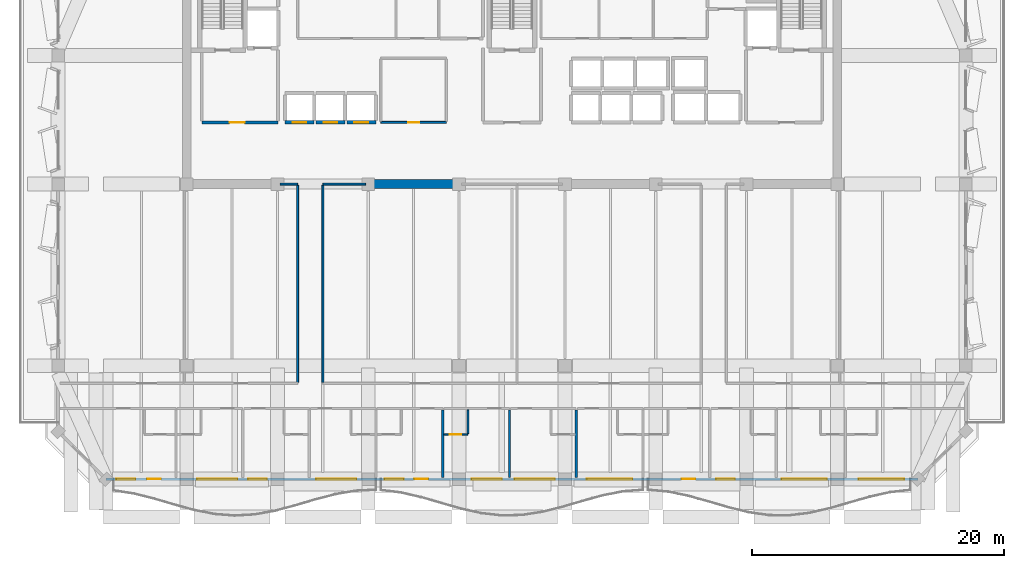
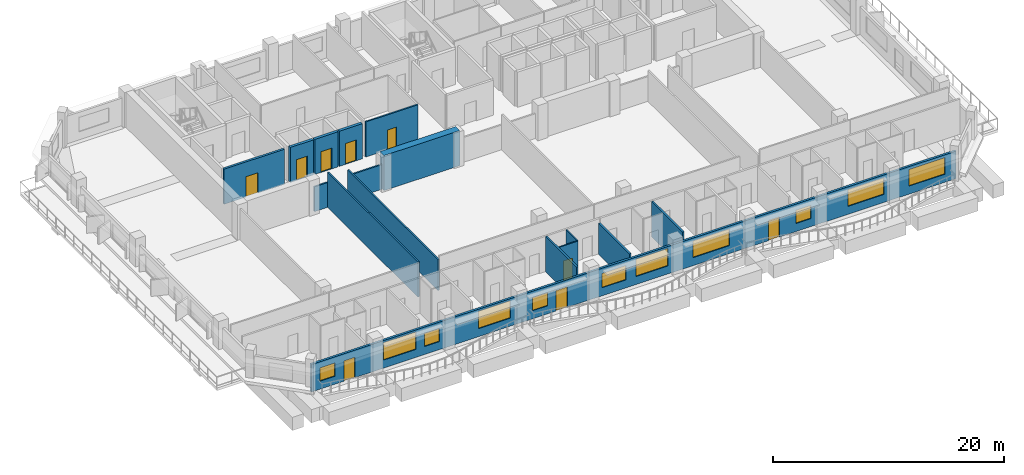
# One storey, part 5 of 13: 16 walls, 11 windows, 9 doors, 20 openings.
"""IFC4 building model written with IfcOpenShell, lengths in metres."""

import ifcopenshell
import ifcopenshell.guid

model = None  # the IFC model being written
_history = None  # IfcOwnerHistory: only IFC2X3 demands one
_inside = {}  # id of a spatial element -> (the spatial element, [elements in it])
_under = {}  # id of a project, library or spatial element -> (it, [spatial elements below it])
_declared = {}  # id of a project -> (the project, [libraries it declares])
_typed = {}  # id of a type object -> (the type object, [elements of that type])
_made_of = {}  # id of a material, layer set ... -> (it, [elements and type objects made of it])


def new_model(schema):
    """Start an empty IFC model of exactly this schema.

    Asked for "IFC4X3", IfcOpenShell would pick the latest addendum, in which some entities
    have other attributes; the version numbers below select the first issue.
    IFC2X3 requires an IfcOwnerHistory on every rooted entity: one is made here for all.
    """
    global model, _history
    if schema == "IFC4X3":
        model = ifcopenshell.file(schema_version=(4, 3, 0, 0))
    else:
        model = ifcopenshell.file(schema=schema)
    _inside.clear()
    _under.clear()
    _declared.clear()
    _typed.clear()
    _made_of.clear()
    _history = None
    if model.schema == "IFC2X3":
        org = make("IfcOrganization", Name="unknown")
        user = make(
            "IfcPersonAndOrganization",
            ThePerson=make("IfcPerson", FamilyName="unknown"),
            TheOrganization=org,
        )
        app = make(
            "IfcApplication",
            ApplicationDeveloper=org,
            Version="unknown",
            ApplicationFullName="unknown",
            ApplicationIdentifier="unknown",
        )
        _history = make(
            "IfcOwnerHistory",
            OwningUser=user,
            OwningApplication=app,
            ChangeAction="ADDED",
            CreationDate=0,
        )
    return model


def make(cls, **values):
    """One entity of the class cls with the attributes given. An attribute that is None is left unset."""
    return model.create_entity(
        cls, **{name: value for name, value in values.items() if value is not None}
    )


def rooted(cls, **values):
    """An entity with a GlobalId (a new one), such as an element, a storey or a relation."""
    return make(cls, GlobalId=ifcopenshell.guid.new(), OwnerHistory=_history, **values)


def si_unit(unit_type, name, prefix=None):
    """IfcSIUnit, for example si_unit("LENGTHUNIT", "METRE", prefix="MILLI")."""
    return make("IfcSIUnit", UnitType=unit_type, Prefix=prefix, Name=name)


def assignment(units):
    """IfcUnitAssignment: the units of a project."""
    return None if units is None else make("IfcUnitAssignment", Units=units)


def point(xyz):
    """IfcCartesianPoint."""
    return None if xyz is None else make("IfcCartesianPoint", Coordinates=xyz)


def direction(xyz):
    """IfcDirection."""
    return None if xyz is None else make("IfcDirection", DirectionRatios=xyz)


def frame(location, z_axis=None, x_axis=None):
    """IfcAxis2Placement3D, a coordinate frame: its origin and axes. An axis left out is left unset."""
    return make(
        "IfcAxis2Placement3D",
        Location=point(location),
        Axis=direction(z_axis),
        RefDirection=direction(x_axis),
    )


def frame_2d(location, x_axis=None):
    """IfcAxis2Placement2D, a coordinate frame in the plane: its origin and x axis."""
    return make(
        "IfcAxis2Placement2D", Location=point(location), RefDirection=direction(x_axis)
    )


def origin():
    """The frame at (0, 0, 0) with its axes left unset."""
    return frame((0.0, 0.0, 0.0))


def place(relative_to, where):
    """IfcLocalPlacement: puts the frame where relative to a parent placement (None: the world)."""
    return make(
        "IfcLocalPlacement", PlacementRelTo=relative_to, RelativePlacement=where
    )


def context(
    kind, dimensions, precision=None, world=None, true_north=None, identifier=None
):
    """IfcGeometricRepresentationContext, for example the 3D "Model" context."""
    return make(
        "IfcGeometricRepresentationContext",
        ContextIdentifier=identifier,
        ContextType=kind,
        CoordinateSpaceDimension=dimensions,
        Precision=precision,
        WorldCoordinateSystem=world,
        TrueNorth=true_north,
    )


def subcontext(parent, identifier, kind, view, scale=None):
    """IfcGeometricRepresentationSubContext, for example "Body" below "Model"."""
    return make(
        "IfcGeometricRepresentationSubContext",
        ContextIdentifier=identifier,
        ContextType=kind,
        ParentContext=parent,
        TargetScale=scale,
        TargetView=view,
    )


def project(units=None, contexts=None):
    """IfcProject with its units and contexts."""
    return rooted(
        "IfcProject",
        Name="project",
        RepresentationContexts=contexts,
        UnitsInContext=assignment(units),
    )


def spatial(cls, under=None, at=None, **own):
    """A site, building, storey or space (cls), placed at a placement, below another one or the project."""
    s = rooted(cls, ObjectPlacement=at, **own)
    if under is not None:
        _under.setdefault(under.id(), (under, []))[1].append(s)
    return s


def profile(cls, at=None, kind="AREA", **sizes):
    """A parametric profile (cls). Its sizes go by their IFC names, for example OverallWidth=200.0."""
    return make(cls, ProfileType=kind, Position=at, **sizes)


def rectangle(**sizes):
    """IfcRectangleProfileDef."""
    return profile("IfcRectangleProfileDef", **sizes)


def extrude(swept, where, along, depth):
    """IfcExtrudedAreaSolid: the profile swept, set in the frame where, extruded along a direction by depth."""
    return make(
        "IfcExtrudedAreaSolid",
        SweptArea=swept,
        Position=where,
        ExtrudedDirection=direction(along),
        Depth=depth,
    )


def shape(context_of_items, identifier, shape_type, items):
    """IfcShapeRepresentation: the items that make up one representation, for example the "Body"."""
    return make(
        "IfcShapeRepresentation",
        ContextOfItems=context_of_items,
        RepresentationIdentifier=identifier,
        RepresentationType=shape_type,
        Items=items,
    )


def material(Name=None, Category=None):
    """IfcMaterial."""
    return make("IfcMaterial", Name=Name, Category=Category)


def layer(
    of_material, thickness, ventilated=None, Name=None, Category=None, Priority=None
):
    """IfcMaterialLayer: one layer of a wall or slab, of a material (None: an air gap)."""
    return make(
        "IfcMaterialLayer",
        Material=of_material,
        LayerThickness=thickness,
        IsVentilated=ventilated,
        Name=Name,
        Category=Category,
        Priority=Priority,
    )


def layer_set(layers, Name=None):
    """IfcMaterialLayerSet."""
    return make("IfcMaterialLayerSet", MaterialLayers=layers, LayerSetName=Name)


def made_of(thing, what):
    """Note that an element or type object is made of a material, layer set ...; save() writes the relation."""
    if what is not None:
        _made_of.setdefault(what.id(), (what, []))[1].append(thing)
    return thing


def type_object(cls, material=None, **own):
    """A type object (cls), such as IfcWallType, which elements share."""
    return made_of(rooted(cls, **own), material)


def element(
    cls,
    number,
    at=None,
    inside=None,
    cuts=None,
    type_object=None,
    material=None,
    context=None,
    identifier="Body",
    shape_type=None,
    held_by="IfcProductDefinitionShape",
    body=None,
    shapes=None,
    **own,
):
    """One element of the class cls, such as IfcWall. Its Tag is "e" and its number.

    at: its placement. inside: the storey or other place that contains it. cuts: it is an
    opening in that element (IfcRelVoidsElement). A single representation is given by context,
    identifier, shape_type and body (its items); several are given by shapes. held_by: the class
    of the entity that holds the representations. save() writes the other relations.
    """
    e = rooted(cls, Tag="e%d" % number, ObjectPlacement=at, **own)
    if body is not None:
        shapes = [shape(context, identifier, shape_type, body)]
    if shapes is not None:
        e.Representation = make(held_by, Representations=shapes)
    if inside is not None:
        _inside.setdefault(inside.id(), (inside, []))[1].append(e)
    if cuts is not None:
        rooted(
            "IfcRelVoidsElement", RelatingBuildingElement=cuts, RelatedOpeningElement=e
        )
    if type_object is not None:
        _typed.setdefault(type_object.id(), (type_object, []))[1].append(e)
    return made_of(e, material)


def fill(opening, filler):
    """IfcRelFillsElement: the door or window that sits in an opening."""
    return rooted(
        "IfcRelFillsElement",
        RelatingOpeningElement=opening,
        RelatedBuildingElement=filler,
    )


def aggregate(whole, parts):
    """IfcRelAggregates: a whole, such as a stair, and the parts it consists of."""
    return rooted("IfcRelAggregates", RelatingObject=whole, RelatedObjects=parts)


def save(model, path):
    """Write the relations noted so far, then the file.

    IfcRelAggregates (storeys below a building ...), IfcRelContainedInSpatialStructure (elements
    in a storey), IfcRelDefinesByType, IfcRelAssociatesMaterial and IfcRelDeclares: one each for
    every whole, place, type object, material and project.
    """
    for whole, parts in _under.values():
        aggregate(whole, parts)
    for where, things in _inside.values():
        rooted(
            "IfcRelContainedInSpatialStructure",
            RelatedElements=things,
            RelatingStructure=where,
        )
    for kind, things in _typed.values():
        rooted("IfcRelDefinesByType", RelatedObjects=things, RelatingType=kind)
    for what, things in _made_of.values():
        rooted("IfcRelAssociatesMaterial", RelatedObjects=things, RelatingMaterial=what)
    for by, libraries in _declared.values():
        rooted("IfcRelDeclares", RelatingContext=by, RelatedDefinitions=libraries)
    model.write(path)


model = new_model("IFC4")

# Units and contexts
model_context = context("Model", 3, precision=1e-05, world=origin(), true_north=direction((0.0, 1.0)))
body_context = subcontext(model_context, "Body", "Model", "MODEL_VIEW")
ifc_project = project(units=[si_unit("LENGTHUNIT", "METRE"), si_unit("AREAUNIT", "SQUARE_METRE"), si_unit("VOLUMEUNIT", "CUBIC_METRE"), si_unit("PLANEANGLEUNIT", "RADIAN"), si_unit("MASSUNIT", "GRAM", prefix="KILO")], contexts=[model_context])

# Site, building, storey
site_placement = place(None, origin())
site = spatial("IfcSite", under=ifc_project, at=site_placement, CompositionType="ELEMENT")
building_placement = place(site_placement, origin())
building = spatial("IfcBuilding", under=site, at=building_placement, Name="Kaelvorn Grand Hotel", CompositionType="ELEMENT")
storey_placement = place(building_placement, frame((0.0, 0.0, 229.14990234375)))
storey = spatial("IfcBuildingStorey", under=building, at=storey_placement, Name="L56", CompositionType="ELEMENT", Elevation=229.14990234375)

# Wall
ifc_material_1 = material(Name="Concrete C50/60", Category="concrete")
ifc_layer_1 = layer(ifc_material_1, 0.699951171875)
ifc_layer_set_1 = layer_set([ifc_layer_1], Name="Concrete C50/60")
wall_type_1 = type_object("IfcWallType", Name="WL-CORE-700-C50", PredefinedType="SHEAR", material=ifc_layer_set_1)
wall_1_placement = place(storey_placement, frame((30.39990234375, 29.39990234375, 0.0), z_axis=(0.0, 0.0, 1.0), x_axis=(1.0, 0.0, 0.0)))
element("IfcWall", 1, at=wall_1_placement, inside=storey, type_object=wall_type_1, Name="L56 Rear-Core Coupled Shear Pier S2", PredefinedType="SHEAR", context=body_context, shape_type="SweptSolid", body=[
    extrude(rectangle(XDim=7.60009765625, YDim=0.699951171875, at=frame_2d((3.800048828125, 0.0))), origin(), (0.0, 0.0, 1.0), 3.710205078125),
])

# Wall, openings, doors, windows
ifc_material_2 = material(Name="Concrete C40/50", Category="concrete")
ifc_layer_2 = layer(ifc_material_2, 0.219970703125)
ifc_layer_set_2 = layer_set([ifc_layer_2], Name="Concrete C40/50")
wall_type_2 = type_object("IfcWallType", Name="WL-EXT-220-C40", PredefinedType="SOLIDWALL", material=ifc_layer_set_2)
wall_2_placement = place(storey_placement, frame((9.800048828125, 6.0, 0.0), z_axis=(0.0, 0.0, 1.0), x_axis=(1.0, 0.0, 0.0)))
wall_2 = element("IfcWall", 2, at=wall_2_placement, inside=storey, type_object=wall_type_2, Name="L56 Exterior Architectural Concrete Wall 01", PredefinedType="SOLIDWALL", context=body_context, shape_type="SweptSolid", body=[
    extrude(rectangle(XDim=64.39990234375, YDim=0.219970703125, at=frame_2d((32.199951171875, 0.0))), origin(), (0.0, 0.0, 1.0), 2.91015625),
])
opening_1_placement = place(wall_2_placement, frame((3.25, 0.0, 0.0)))
opening_1 = element("IfcOpeningElement", 3, at=opening_1_placement, cuts=wall_2, Name="Opening DE2", PredefinedType="OPENING", context=body_context, shape_type="SweptSolid", body=[
    extrude(rectangle(XDim=1.10009765625, YDim=2.14990234375, at=frame_2d((0.550048828125, 1.074951171875))), frame((0.0, 0.1201171875, 0.0), z_axis=(0.0, -1.0, 0.0), x_axis=(1.0, 0.0, 0.0)), (0.0, 0.0, 1.0), 0.239990234375),
])
opening_2_placement = place(wall_2_placement, frame((24.449951171875, 0.0, 0.0)))
opening_2 = element("IfcOpeningElement", 4, at=opening_2_placement, cuts=wall_2, Name="Opening DE2", PredefinedType="OPENING", context=body_context, shape_type="SweptSolid", body=[
    extrude(rectangle(XDim=1.10009765625, YDim=2.14990234375, at=frame_2d((0.550048828125, 1.074951171875))), frame((0.0, 0.1201171875, 0.0), z_axis=(0.0, -1.0, 0.0), x_axis=(1.0, 0.0, 0.0)), (0.0, 0.0, 1.0), 0.239990234375),
])
opening_3_placement = place(wall_2_placement, frame((45.64990234375, 0.0, 0.0)))
opening_3 = element("IfcOpeningElement", 5, at=opening_3_placement, cuts=wall_2, Name="Opening DE2", PredefinedType="OPENING", context=body_context, shape_type="SweptSolid", body=[
    extrude(rectangle(XDim=1.10009765625, YDim=2.14990234375, at=frame_2d((0.550048828125, 1.074951171875))), frame((0.0, 0.1201171875, 0.0), z_axis=(0.0, -1.0, 0.0), x_axis=(1.0, 0.0, 0.0)), (0.0, 0.0, 1.0), 0.239990234375),
])
opening_4_placement = place(wall_2_placement, frame((0.824951171875, 0.0, 0.85009765625)))
opening_4 = element("IfcOpeningElement", 6, at=opening_4_placement, cuts=wall_2, Name="Opening W10", PredefinedType="OPENING", context=body_context, shape_type="SweptSolid", body=[
    extrude(rectangle(XDim=1.5, YDim=1.39990234375, at=frame_2d((0.75, 0.699951171875))), frame((0.0, 0.1201171875, 0.0), z_axis=(0.0, -1.0, 0.0), x_axis=(1.0, 0.0, 0.0)), (0.0, 0.0, 1.0), 0.239990234375),
])
opening_5_placement = place(wall_2_placement, frame((7.216552734375, 0.0, 0.85009765625)))
opening_5 = element("IfcOpeningElement", 7, at=opening_5_placement, cuts=wall_2, Name="Opening W4", PredefinedType="OPENING", context=body_context, shape_type="SweptSolid", body=[
    extrude(rectangle(XDim=3.199951171875, YDim=1.85009765625, at=frame_2d((1.60009765625, 0.925048828125))), frame((0.0, 0.1201171875, 0.0), z_axis=(0.0, -1.0, 0.0), x_axis=(1.0, 0.0, 0.0)), (0.0, 0.0, 1.0), 0.239990234375),
])
opening_6_placement = place(wall_2_placement, frame((11.2666015625, 0.0, 0.85009765625)))
opening_6 = element("IfcOpeningElement", 8, at=opening_6_placement, cuts=wall_2, Name="Opening W10", PredefinedType="OPENING", context=body_context, shape_type="SweptSolid", body=[
    extrude(rectangle(XDim=1.5, YDim=1.39990234375, at=frame_2d((0.75, 0.699951171875))), frame((0.0, 0.1201171875, 0.0), z_axis=(0.0, -1.0, 0.0), x_axis=(1.0, 0.0, 0.0)), (0.0, 0.0, 1.0), 0.239990234375),
])
opening_7_placement = place(wall_2_placement, frame((16.66259765625, 0.0, 0.85009765625)))
opening_7 = element("IfcOpeningElement", 9, at=opening_7_placement, cuts=wall_2, Name="Opening W4", PredefinedType="OPENING", context=body_context, shape_type="SweptSolid", body=[
    extrude(rectangle(XDim=3.199951171875, YDim=1.85009765625, at=frame_2d((1.60009765625, 0.925048828125))), frame((0.0, 0.1201171875, 0.0), z_axis=(0.0, -1.0, 0.0), x_axis=(1.0, 0.0, 0.0)), (0.0, 0.0, 1.0), 0.239990234375),
])
opening_8_placement = place(wall_2_placement, frame((22.098388671875, 0.0, 0.85009765625)))
opening_8 = element("IfcOpeningElement", 10, at=opening_8_placement, cuts=wall_2, Name="Opening W10", PredefinedType="OPENING", context=body_context, shape_type="SweptSolid", body=[
    extrude(rectangle(XDim=1.5, YDim=1.39990234375, at=frame_2d((0.75, 0.699951171875))), frame((0.0, 0.1201171875, 0.0), z_axis=(0.0, -1.0, 0.0), x_axis=(1.0, 0.0, 0.0)), (0.0, 0.0, 1.0), 0.239990234375),
])
opening_9_placement = place(wall_2_placement, frame((29.0, 0.0, 0.85009765625)))
opening_9 = element("IfcOpeningElement", 11, at=opening_9_placement, cuts=wall_2, Name="Opening W6", PredefinedType="OPENING", context=body_context, shape_type="SweptSolid", body=[
    extrude(rectangle(XDim=2.39990234375, YDim=1.5, at=frame_2d((1.199951171875, 0.75))), frame((0.0, 0.1201171875, 0.0), z_axis=(0.0, -1.0, 0.0), x_axis=(1.0, 0.0, 0.0)), (0.0, 0.0, 1.0), 0.239990234375),
])
opening_10_placement = place(wall_2_placement, frame((32.39990234375, 0.0, 0.85009765625)))
opening_10 = element("IfcOpeningElement", 12, at=opening_10_placement, cuts=wall_2, Name="Opening W4", PredefinedType="OPENING", context=body_context, shape_type="SweptSolid", body=[
    extrude(rectangle(XDim=3.199951171875, YDim=1.85009765625, at=frame_2d((1.60009765625, 0.925048828125))), frame((0.0, 0.1201171875, 0.0), z_axis=(0.0, -1.0, 0.0), x_axis=(1.0, 0.0, 0.0)), (0.0, 0.0, 1.0), 0.239990234375),
])
opening_11_placement = place(wall_2_placement, frame((38.137939453125, 0.0, 0.85009765625)))
opening_11 = element("IfcOpeningElement", 13, at=opening_11_placement, cuts=wall_2, Name="Opening W3", PredefinedType="OPENING", context=body_context, shape_type="SweptSolid", body=[
    extrude(rectangle(XDim=3.60009765625, YDim=1.75, at=frame_2d((1.800048828125, 0.875))), frame((0.0, 0.1201171875, 0.0), z_axis=(0.0, -1.0, 0.0), x_axis=(1.0, 0.0, 0.0)), (0.0, 0.0, 1.0), 0.239990234375),
])
opening_12_placement = place(wall_2_placement, frame((48.387451171875, 0.0, 0.85009765625)))
opening_12 = element("IfcOpeningElement", 14, at=opening_12_placement, cuts=wall_2, Name="Opening W10", PredefinedType="OPENING", context=body_context, shape_type="SweptSolid", body=[
    extrude(rectangle(XDim=1.5, YDim=1.39990234375, at=frame_2d((0.75, 0.699951171875))), frame((0.0, 0.1201171875, 0.0), z_axis=(0.0, -1.0, 0.0), x_axis=(1.0, 0.0, 0.0)), (0.0, 0.0, 1.0), 0.239990234375),
])
opening_13_placement = place(wall_2_placement, frame((53.58349609375, 0.0, 0.85009765625)))
opening_13 = element("IfcOpeningElement", 15, at=opening_13_placement, cuts=wall_2, Name="Opening W3", PredefinedType="OPENING", context=body_context, shape_type="SweptSolid", body=[
    extrude(rectangle(XDim=3.60009765625, YDim=1.75, at=frame_2d((1.800048828125, 0.875))), frame((0.0, 0.1201171875, 0.0), z_axis=(0.0, -1.0, 0.0), x_axis=(1.0, 0.0, 0.0)), (0.0, 0.0, 1.0), 0.239990234375),
])
opening_14_placement = place(wall_2_placement, frame((59.694580078125, 0.0, 0.85009765625)))
opening_14 = element("IfcOpeningElement", 16, at=opening_14_placement, cuts=wall_2, Name="Opening W3", PredefinedType="OPENING", context=body_context, shape_type="SweptSolid", body=[
    extrude(rectangle(XDim=3.60009765625, YDim=1.75, at=frame_2d((1.800048828125, 0.875))), frame((0.0, 0.1201171875, 0.0), z_axis=(0.0, -1.0, 0.0), x_axis=(1.0, 0.0, 0.0)), (0.0, 0.0, 1.0), 0.239990234375),
])
ifc_material_3 = material(Name="Anodised Aluminium", Category="aluminium")
door_type_1 = type_object("IfcDoorType", Name="DR-EXT-BALC-1100x2150", OperationType="NOTDEFINED", PredefinedType="DOOR", material=ifc_material_3)
door_1_placement = place(opening_1_placement, origin())
door_1 = element("IfcDoor", 17, at=door_1_placement, inside=storey, type_object=door_type_1, Name="L56 Scalloped Balcony Glazed Door DE2-1", OperationType="SINGLE_SWING_LEFT", OverallHeight=2.14990234375, OverallWidth=1.10009765625, PredefinedType="DOOR", context=body_context, shape_type="SweptSolid", body=[
    extrude(rectangle(XDim=1.10009765625, YDim=2.14990234375, at=frame_2d((0.550048828125, 1.074951171875))), frame((0.0, 0.02490234375, 0.0), z_axis=(0.0, -1.0, 0.0), x_axis=(1.0, 0.0, 0.0)), (0.0, 0.0, 1.0), 0.050048828125),
])
fill(opening_1, door_1)
door_2_placement = place(opening_2_placement, origin())
door_2 = element("IfcDoor", 18, at=door_2_placement, inside=storey, type_object=door_type_1, Name="L56 Scalloped Balcony Glazed Door DE2-2", OperationType="SINGLE_SWING_RIGHT", OverallHeight=2.14990234375, OverallWidth=1.10009765625, PredefinedType="DOOR", context=body_context, shape_type="SweptSolid", body=[
    extrude(rectangle(XDim=1.10009765625, YDim=2.14990234375, at=frame_2d((0.550048828125, 1.074951171875))), frame((0.0, 0.02490234375, 0.0), z_axis=(0.0, -1.0, 0.0), x_axis=(1.0, 0.0, 0.0)), (0.0, 0.0, 1.0), 0.050048828125),
])
fill(opening_2, door_2)
door_3_placement = place(opening_3_placement, origin())
door_3 = element("IfcDoor", 19, at=door_3_placement, inside=storey, type_object=door_type_1, Name="L56 Scalloped Balcony Glazed Door DE2-3", OperationType="SINGLE_SWING_LEFT", OverallHeight=2.14990234375, OverallWidth=1.10009765625, PredefinedType="DOOR", context=body_context, shape_type="SweptSolid", body=[
    extrude(rectangle(XDim=1.10009765625, YDim=2.14990234375, at=frame_2d((0.550048828125, 1.074951171875))), frame((0.0, 0.02490234375, 0.0), z_axis=(0.0, -1.0, 0.0), x_axis=(1.0, 0.0, 0.0)), (0.0, 0.0, 1.0), 0.050048828125),
])
fill(opening_3, door_3)
ifc_material_4 = material(Name="Laminated Low-E Glass", Category="glass")
window_type_1 = type_object("IfcWindowType", Name="WIN-COR-1500x1400", PartitioningType="SINGLE_PANEL", PredefinedType="WINDOW", material=ifc_material_4)
window_1_placement = place(opening_4_placement, origin())
window_1 = element("IfcWindow", 20, at=window_1_placement, inside=storey, type_object=window_type_1, Name="L56 South Guestroom Ribbon Window SR01", OverallHeight=1.39990234375, OverallWidth=1.5, PartitioningType="SINGLE_PANEL", PredefinedType="WINDOW", context=body_context, shape_type="SweptSolid", body=[
    extrude(rectangle(XDim=1.5, YDim=1.39990234375, at=frame_2d((0.75, 0.699951171875))), frame((0.0, 0.030029296875, 0.0), z_axis=(0.0, -1.0, 0.0), x_axis=(1.0, 0.0, 0.0)), (0.0, 0.0, 1.0), 0.06005859375),
])
fill(opening_4, window_1)
window_2_placement = place(opening_6_placement, origin())
window_2 = element("IfcWindow", 21, at=window_2_placement, inside=storey, type_object=window_type_1, Name="L56 South Guestroom Ribbon Window SR03", OverallHeight=1.39990234375, OverallWidth=1.5, PartitioningType="SINGLE_PANEL", PredefinedType="WINDOW", context=body_context, shape_type="SweptSolid", body=[
    extrude(rectangle(XDim=1.5, YDim=1.39990234375, at=frame_2d((0.75, 0.699951171875))), frame((0.0, 0.030029296875, 0.0), z_axis=(0.0, -1.0, 0.0), x_axis=(1.0, 0.0, 0.0)), (0.0, 0.0, 1.0), 0.06005859375),
])
fill(opening_6, window_2)
window_3_placement = place(opening_8_placement, origin())
window_3 = element("IfcWindow", 22, at=window_3_placement, inside=storey, type_object=window_type_1, Name="L56 South Guestroom Ribbon Window SR05", OverallHeight=1.39990234375, OverallWidth=1.5, PartitioningType="SINGLE_PANEL", PredefinedType="WINDOW", context=body_context, shape_type="SweptSolid", body=[
    extrude(rectangle(XDim=1.5, YDim=1.39990234375, at=frame_2d((0.75, 0.699951171875))), frame((0.0, 0.030029296875, 0.0), z_axis=(0.0, -1.0, 0.0), x_axis=(1.0, 0.0, 0.0)), (0.0, 0.0, 1.0), 0.06005859375),
])
fill(opening_8, window_3)
window_4_placement = place(opening_12_placement, origin())
window_4 = element("IfcWindow", 23, at=window_4_placement, inside=storey, type_object=window_type_1, Name="L56 South Guestroom Ribbon Window SR09", OverallHeight=1.39990234375, OverallWidth=1.5, PartitioningType="SINGLE_PANEL", PredefinedType="WINDOW", context=body_context, shape_type="SweptSolid", body=[
    extrude(rectangle(XDim=1.5, YDim=1.39990234375, at=frame_2d((0.75, 0.699951171875))), frame((0.0, 0.030029296875, 0.0), z_axis=(0.0, -1.0, 0.0), x_axis=(1.0, 0.0, 0.0)), (0.0, 0.0, 1.0), 0.06005859375),
])
fill(opening_12, window_4)
window_type_2 = type_object("IfcWindowType", Name="WIN-NTH-2400x1500", PartitioningType="SINGLE_PANEL", PredefinedType="WINDOW", material=ifc_material_4)
window_5_placement = place(opening_9_placement, origin())
window_5 = element("IfcWindow", 24, at=window_5_placement, inside=storey, type_object=window_type_2, Name="L56 South Guestroom Ribbon Window SR06", OverallHeight=1.5, OverallWidth=2.39990234375, PartitioningType="SINGLE_PANEL", PredefinedType="WINDOW", context=body_context, shape_type="SweptSolid", body=[
    extrude(rectangle(XDim=2.39990234375, YDim=1.5, at=frame_2d((1.199951171875, 0.75))), frame((0.0, 0.030029296875, 0.0), z_axis=(0.0, -1.0, 0.0), x_axis=(1.0, 0.0, 0.0)), (0.0, 0.0, 1.0), 0.06005859375),
])
fill(opening_9, window_5)
window_type_3 = type_object("IfcWindowType", Name="WIN-RIB-3200x1850", PartitioningType="SINGLE_PANEL", PredefinedType="WINDOW", material=ifc_material_4)
window_6_placement = place(opening_5_placement, origin())
window_6 = element("IfcWindow", 25, at=window_6_placement, inside=storey, type_object=window_type_3, Name="L56 South Guestroom Ribbon Window SR02", OverallHeight=1.85009765625, OverallWidth=3.199951171875, PartitioningType="SINGLE_PANEL", PredefinedType="WINDOW", context=body_context, shape_type="SweptSolid", body=[
    extrude(rectangle(XDim=3.199951171875, YDim=1.85009765625, at=frame_2d((1.60009765625, 0.925048828125))), frame((0.0, 0.030029296875, 0.0), z_axis=(0.0, -1.0, 0.0), x_axis=(1.0, 0.0, 0.0)), (0.0, 0.0, 1.0), 0.06005859375),
])
fill(opening_5, window_6)
window_7_placement = place(opening_7_placement, origin())
window_7 = element("IfcWindow", 26, at=window_7_placement, inside=storey, type_object=window_type_3, Name="L56 South Guestroom Ribbon Window SR04", OverallHeight=1.85009765625, OverallWidth=3.199951171875, PartitioningType="SINGLE_PANEL", PredefinedType="WINDOW", context=body_context, shape_type="SweptSolid", body=[
    extrude(rectangle(XDim=3.199951171875, YDim=1.85009765625, at=frame_2d((1.60009765625, 0.925048828125))), frame((0.0, 0.030029296875, 0.0), z_axis=(0.0, -1.0, 0.0), x_axis=(1.0, 0.0, 0.0)), (0.0, 0.0, 1.0), 0.06005859375),
])
fill(opening_7, window_7)
window_8_placement = place(opening_10_placement, origin())
window_8 = element("IfcWindow", 27, at=window_8_placement, inside=storey, type_object=window_type_3, Name="L56 South Guestroom Ribbon Window SR07", OverallHeight=1.85009765625, OverallWidth=3.199951171875, PartitioningType="SINGLE_PANEL", PredefinedType="WINDOW", context=body_context, shape_type="SweptSolid", body=[
    extrude(rectangle(XDim=3.199951171875, YDim=1.85009765625, at=frame_2d((1.60009765625, 0.925048828125))), frame((0.0, 0.030029296875, 0.0), z_axis=(0.0, -1.0, 0.0), x_axis=(1.0, 0.0, 0.0)), (0.0, 0.0, 1.0), 0.06005859375),
])
fill(opening_10, window_8)
window_type_4 = type_object("IfcWindowType", Name="WIN-RIB-3600x1750", PartitioningType="SINGLE_PANEL", PredefinedType="WINDOW", material=ifc_material_4)
window_9_placement = place(opening_11_placement, origin())
window_9 = element("IfcWindow", 28, at=window_9_placement, inside=storey, type_object=window_type_4, Name="L56 South Guestroom Ribbon Window SR08", OverallHeight=1.75, OverallWidth=3.60009765625, PartitioningType="SINGLE_PANEL", PredefinedType="WINDOW", context=body_context, shape_type="SweptSolid", body=[
    extrude(rectangle(XDim=3.60009765625, YDim=1.75, at=frame_2d((1.800048828125, 0.875))), frame((0.0, 0.030029296875, 0.0), z_axis=(0.0, -1.0, 0.0), x_axis=(1.0, 0.0, 0.0)), (0.0, 0.0, 1.0), 0.06005859375),
])
fill(opening_11, window_9)
window_10_placement = place(opening_13_placement, origin())
window_10 = element("IfcWindow", 29, at=window_10_placement, inside=storey, type_object=window_type_4, Name="L56 South Guestroom Ribbon Window SR10", OverallHeight=1.75, OverallWidth=3.60009765625, PartitioningType="SINGLE_PANEL", PredefinedType="WINDOW", context=body_context, shape_type="SweptSolid", body=[
    extrude(rectangle(XDim=3.60009765625, YDim=1.75, at=frame_2d((1.800048828125, 0.875))), frame((0.0, 0.030029296875, 0.0), z_axis=(0.0, -1.0, 0.0), x_axis=(1.0, 0.0, 0.0)), (0.0, 0.0, 1.0), 0.06005859375),
])
fill(opening_13, window_10)
window_11_placement = place(opening_14_placement, origin())
window_11 = element("IfcWindow", 30, at=window_11_placement, inside=storey, type_object=window_type_4, Name="L56 South Guestroom Ribbon Window SR11", OverallHeight=1.75, OverallWidth=3.60009765625, PartitioningType="SINGLE_PANEL", PredefinedType="WINDOW", context=body_context, shape_type="SweptSolid", body=[
    extrude(rectangle(XDim=3.60009765625, YDim=1.75, at=frame_2d((1.800048828125, 0.875))), frame((0.0, 0.030029296875, 0.0), z_axis=(0.0, -1.0, 0.0), x_axis=(1.0, 0.0, 0.0)), (0.0, 0.0, 1.0), 0.06005859375),
])
fill(opening_14, window_11)

# Wall, opening, door
ifc_material_5 = material(Name="Moisture-Resistant Tile & Stud Board")
ifc_layer_3 = layer(ifc_material_5, 0.125)
ifc_layer_set_3 = layer_set([ifc_layer_3], Name="Moisture-Resistant Tile & Stud Board")
wall_type_3 = type_object("IfcWallType", Name="WL-PART-125-WET", PredefinedType="PARTITIONING", material=ifc_layer_set_3)
wall_3_placement = place(storey_placement, frame((36.603515625, 9.550048828125, 0.0), z_axis=(0.0, 0.0, 1.0), x_axis=(1.0, 0.0, 0.0)))
wall_3 = element("IfcWall", 31, at=wall_3_placement, inside=storey, type_object=wall_type_3, Name="L56 En-suite Bathroom L56-06 S Partition", PredefinedType="PARTITIONING", context=body_context, shape_type="SweptSolid", body=[
    extrude(rectangle(XDim=1.905029296875, YDim=0.125, at=frame_2d((0.95263671875, 0.0))), origin(), (0.0, 0.0, 1.0), 3.710205078125),
])
opening_15_placement = place(wall_3_placement, frame((0.455078125, 0.0, 0.0)))
opening_15 = element("IfcOpeningElement", 32, at=opening_15_placement, cuts=wall_3, Name="Opening DI4", PredefinedType="OPENING", context=body_context, shape_type="SweptSolid", body=[
    extrude(rectangle(XDim=0.89990234375, YDim=2.10009765625, at=frame_2d((0.449951171875, 1.050048828125))), frame((0.0, 0.072509765625, 0.0), z_axis=(0.0, -1.0, 0.0), x_axis=(1.0, 0.0, 0.0)), (0.0, 0.0, 1.0), 0.14501953125),
])
ifc_material_6 = material(Name="Timber Veneer Leaf", Category="wood")
door_type_2 = type_object("IfcDoorType", Name="DR-INT-BATH-900x2100", OperationType="NOTDEFINED", PredefinedType="DOOR", material=ifc_material_6)
door_4_placement = place(opening_15_placement, origin())
door_4 = element("IfcDoor", 33, at=door_4_placement, inside=storey, type_object=door_type_2, Name="L56 En-suite Bathroom L56-06 Door", OperationType="SINGLE_SWING_RIGHT", OverallHeight=2.10009765625, OverallWidth=0.89990234375, PredefinedType="DOOR", context=body_context, shape_type="SweptSolid", body=[
    extrude(rectangle(XDim=0.89990234375, YDim=2.10009765625, at=frame_2d((0.449951171875, 1.050048828125))), frame((0.0, 0.02490234375, 0.0), z_axis=(0.0, -1.0, 0.0), x_axis=(1.0, 0.0, 0.0)), (0.0, 0.0, 1.0), 0.050048828125),
])
fill(opening_15, door_4)

# Wall
wall_4_placement = place(storey_placement, frame((38.508544921875, 9.617431640625, 0.0), z_axis=(0.0, 0.0, 1.0), x_axis=(0.0, 1.0, 0.0)))
element("IfcWall", 34, at=wall_4_placement, inside=storey, type_object=wall_type_3, Name="L56 En-suite Bathroom L56-06 E Partition", PredefinedType="PARTITIONING", context=body_context, shape_type="SweptSolid", body=[
    extrude(rectangle(XDim=1.887451171875, YDim=0.125, at=frame_2d((0.94384765625, 0.0))), origin(), (0.0, 0.0, 1.0), 3.710205078125),
])

# Wall, opening, door
ifc_material_7 = material(Name="Acoustic Gypsum & Stud Partition")
ifc_layer_4 = layer(ifc_material_7, 0.14990234375)
ifc_layer_set_4 = layer_set([ifc_layer_4], Name="Acoustic Gypsum & Stud Partition")
wall_type_4 = type_object("IfcWallType", Name="WL-PART-150-EI60", PredefinedType="PARTITIONING", material=ifc_layer_set_4)
wall_5_placement = place(storey_placement, frame((31.60009765625, 34.300048828125, 0.0), z_axis=(0.0, 0.0, 1.0), x_axis=(1.0, 0.0, 0.0)))
wall_5 = element("IfcWall", 35, at=wall_5_placement, inside=storey, type_object=wall_type_4, Name="L56 Core Telecoms & BMS Server Room S Partition", PredefinedType="PARTITIONING", context=body_context, shape_type="SweptSolid", body=[
    extrude(rectangle(XDim=5.199951171875, YDim=0.14990234375, at=frame_2d((2.60009765625, 0.0))), origin(), (0.0, 0.0, 1.0), 3.710205078125),
])
opening_16_placement = place(wall_5_placement, frame((2.175048828125, 0.0, 0.0)))
opening_16 = element("IfcOpeningElement", 36, at=opening_16_placement, cuts=wall_5, Name="Opening DI7", PredefinedType="OPENING", context=body_context, shape_type="SweptSolid", body=[
    extrude(rectangle(XDim=0.85009765625, YDim=2.10009765625, at=frame_2d((0.425048828125, 1.050048828125))), frame((0.0, 0.0849609375, 0.0), z_axis=(0.0, -1.0, 0.0), x_axis=(1.0, 0.0, 0.0)), (0.0, 0.0, 1.0), 0.169921875),
])
ifc_material_8 = material(Name="Powder-Coated Steel Leaf", Category="steel")
door_type_3 = type_object("IfcDoorType", Name="DR-INT-RISER-850x2100", OperationType="NOTDEFINED", PredefinedType="DOOR", material=ifc_material_8)
door_5_placement = place(opening_16_placement, origin())
door_5 = element("IfcDoor", 37, at=door_5_placement, inside=storey, type_object=door_type_3, Name="L56 Core Telecoms & BMS Server Room Door", OperationType="SINGLE_SWING_RIGHT", OverallHeight=2.10009765625, OverallWidth=0.85009765625, PredefinedType="DOOR", context=body_context, shape_type="SweptSolid", body=[
    extrude(rectangle(XDim=0.85009765625, YDim=2.10009765625, at=frame_2d((0.425048828125, 1.050048828125))), frame((0.0, 0.02490234375, 0.0), z_axis=(0.0, -1.0, 0.0), x_axis=(1.0, 0.0, 0.0)), (0.0, 0.0, 1.0), 0.050048828125),
])
fill(opening_16, door_5)

# Walls
wall_6_placement = place(storey_placement, frame((23.610107421875, 29.39990234375, 0.0), z_axis=(0.0, 0.0, 1.0), x_axis=(1.0, 0.0, 0.0)))
element("IfcWall", 38, at=wall_6_placement, inside=storey, type_object=wall_type_4, Name="L56 Music & Recital Salon N Partition", PredefinedType="PARTITIONING", context=body_context, shape_type="SweptSolid", body=[
    extrude(rectangle(XDim=1.389892578125, YDim=0.14990234375, at=frame_2d((0.69482421875, 0.0))), origin(), (0.0, 0.0, 1.0), 2.610107421875),
])
wall_7_placement = place(storey_placement, frame((25.0, 13.679931640625, 0.0), z_axis=(0.0, 0.0, 1.0), x_axis=(0.0, 1.0, 0.0)))
element("IfcWall", 39, at=wall_7_placement, inside=storey, type_object=wall_type_4, Name="L56 Music & Recital Salon E Partition", PredefinedType="PARTITIONING", context=body_context, shape_type="SweptSolid", body=[
    extrude(rectangle(XDim=15.64013671875, YDim=0.14990234375, at=frame_2d((7.820068359375, 0.0))), origin(), (0.0, 0.0, 1.0), 3.710205078125),
])
wall_8_placement = place(storey_placement, frame((27.0, 29.39990234375, 0.0), z_axis=(0.0, 0.0, 1.0), x_axis=(1.0, 0.0, 0.0)))
element("IfcWall", 40, at=wall_8_placement, inside=storey, type_object=wall_type_4, Name="L56 Banquet Prep Kitchen N Partition (1)", PredefinedType="PARTITIONING", context=body_context, shape_type="SweptSolid", body=[
    extrude(rectangle(XDim=3.389892578125, YDim=0.14990234375, at=frame_2d((1.69482421875, 0.0))), origin(), (0.0, 0.0, 1.0), 2.610107421875),
])
wall_9_placement = place(storey_placement, frame((27.0, 13.679931640625, 0.0), z_axis=(0.0, 0.0, 1.0), x_axis=(0.0, 1.0, 0.0)))
element("IfcWall", 41, at=wall_9_placement, inside=storey, type_object=wall_type_4, Name="L56 Banquet Prep Kitchen W Partition", PredefinedType="PARTITIONING", context=body_context, shape_type="SweptSolid", body=[
    extrude(rectangle(XDim=15.64013671875, YDim=0.14990234375, at=frame_2d((7.820068359375, 0.0))), origin(), (0.0, 0.0, 1.0), 3.260009765625),
])
ifc_layer_5 = layer(ifc_material_7, 0.179931640625)
ifc_layer_set_5 = layer_set([ifc_layer_5], Name="Acoustic Gypsum & Stud Partition")
wall_type_5 = type_object("IfcWallType", Name="WL-PART-180-EI60", PredefinedType="PARTITIONING", material=ifc_layer_set_5)
wall_10_placement = place(storey_placement, frame((36.508544921875, 6.14990234375, 0.0), z_axis=(0.0, 0.0, 1.0), x_axis=(0.0, 1.0, 0.0)))
element("IfcWall", 42, at=wall_10_placement, inside=storey, type_object=wall_type_5, Name="L56 Ambassador Sky Suite L56-05 E Partition", PredefinedType="PARTITIONING", context=body_context, shape_type="SweptSolid", body=[
    extrude(rectangle(XDim=5.35498046875, YDim=0.179931640625, at=frame_2d((2.677490234375, 0.0))), origin(), (0.0, 0.0, 1.0), 3.710205078125),
])
wall_11_placement = place(storey_placement, frame((41.80029296875, 6.14990234375, 0.0), z_axis=(0.0, 0.0, 1.0), x_axis=(0.0, 1.0, 0.0)))
element("IfcWall", 43, at=wall_11_placement, inside=storey, type_object=wall_type_5, Name="L56 Ambassador Guest Room L56-06 E Partition", PredefinedType="PARTITIONING", context=body_context, shape_type="SweptSolid", body=[
    extrude(rectangle(XDim=5.35498046875, YDim=0.179931640625, at=frame_2d((2.677490234375, 0.0))), origin(), (0.0, 0.0, 1.0), 3.260009765625),
])
wall_12_placement = place(storey_placement, frame((47.092041015625, 6.14990234375, 0.0), z_axis=(0.0, 0.0, 1.0), x_axis=(0.0, 1.0, 0.0)))
element("IfcWall", 44, at=wall_12_placement, inside=storey, type_object=wall_type_5, Name="L56 Ambassador Sky Suite L56-07 E Partition", PredefinedType="PARTITIONING", context=body_context, shape_type="SweptSolid", body=[
    extrude(rectangle(XDim=5.35498046875, YDim=0.179931640625, at=frame_2d((2.677490234375, 0.0))), origin(), (0.0, 0.0, 1.0), 3.710205078125),
])

# Wall, opening, door
ifc_layer_6 = layer(ifc_material_2, 0.219970703125)
ifc_layer_set_6 = layer_set([ifc_layer_6], Name="Concrete C40/50")
wall_type_6 = type_object("IfcWallType", Name="WL-PART-220-EI120", PredefinedType="PARTITIONING", material=ifc_layer_set_6)
wall_13_placement = place(storey_placement, frame((17.39990234375, 34.300048828125, 0.0), z_axis=(0.0, 0.0, 1.0), x_axis=(1.0, 0.0, 0.0)))
wall_13 = element("IfcWall", 45, at=wall_13_placement, inside=storey, type_object=wall_type_6, Name="L56 Firefighting Lift Lobby 1 S Partition", PredefinedType="PARTITIONING", context=body_context, shape_type="SweptSolid", body=[
    extrude(rectangle(XDim=6.050048828125, YDim=0.219970703125, at=frame_2d((3.02490234375, 0.0))), origin(), (0.0, 0.0, 1.0), 3.710205078125),
])
opening_17_placement = place(wall_13_placement, frame((2.199951171875, 0.0, 0.0)))
opening_17 = element("IfcOpeningElement", 46, at=opening_17_placement, cuts=wall_13, Name="Opening DI2", PredefinedType="OPENING", context=body_context, shape_type="SweptSolid", body=[
    extrude(rectangle(XDim=1.199951171875, YDim=2.14990234375, at=frame_2d((0.60009765625, 1.074951171875))), frame((0.0, 0.1201171875, 0.0), z_axis=(0.0, -1.0, 0.0), x_axis=(1.0, 0.0, 0.0)), (0.0, 0.0, 1.0), 0.239990234375),
])
ifc_material_9 = material(Name="Timber Veneer Fire Leaf", Category="wood")
door_type_4 = type_object("IfcDoorType", Name="DR-INT-FFLOB-1200x2150", OperationType="NOTDEFINED", PredefinedType="DOOR", material=ifc_material_9)
door_6_placement = place(opening_17_placement, origin())
door_6 = element("IfcDoor", 47, at=door_6_placement, inside=storey, type_object=door_type_4, Name="L56 Firefighting Lift Lobby 1 Door", OperationType="SINGLE_SWING_RIGHT", OverallHeight=2.14990234375, OverallWidth=1.199951171875, PredefinedType="DOOR", context=body_context, shape_type="SweptSolid", body=[
    extrude(rectangle(XDim=1.199951171875, YDim=2.14990234375, at=frame_2d((0.60009765625, 1.074951171875))), frame((0.0, 0.02490234375, 0.0), z_axis=(0.0, -1.0, 0.0), x_axis=(1.0, 0.0, 0.0)), (0.0, 0.0, 1.0), 0.050048828125),
])
fill(opening_17, door_6)

ifc_layer_7 = layer(ifc_material_1, 0.280029296875)
ifc_layer_set_7 = layer_set([ifc_layer_7], Name="Concrete C50/60")
wall_type_7 = type_object("IfcWallType", Name="WL-SHAFT-280-C50", PredefinedType="SHEAR", material=ifc_layer_set_7)
wall_14_placement = place(storey_placement, frame((24.0, 34.300048828125, 0.0), z_axis=(0.0, 0.0, 1.0), x_axis=(1.0, 0.0, 0.0)))
wall_14 = element("IfcWall", 48, at=wall_14_placement, inside=storey, type_object=wall_type_7, Name="L56 Lift PL-H1 Shaft South Wall", PredefinedType="SHEAR", context=body_context, shape_type="SweptSolid", body=[
    extrude(rectangle(XDim=2.300048828125, YDim=0.280029296875, at=frame_2d((1.14990234375, 0.0))), origin(), (0.0, 0.0, 1.0), 3.710205078125),
])
opening_18_placement = place(wall_14_placement, frame((0.60009765625, 0.0, 0.0)))
opening_18 = element("IfcOpeningElement", 49, at=opening_18_placement, cuts=wall_14, Name="Opening LD-PL-H1", PredefinedType="OPENING", context=body_context, shape_type="SweptSolid", body=[
    extrude(rectangle(XDim=1.10009765625, YDim=2.199951171875, at=frame_2d((0.550048828125, 1.10009765625))), frame((0.0, 0.14990234375, 0.0), z_axis=(0.0, -1.0, 0.0), x_axis=(1.0, 0.0, 0.0)), (0.0, 0.0, 1.0), 0.300048828125),
])
ifc_material_10 = material(Name="Stainless Steel", Category="steel")
door_type_5 = type_object("IfcDoorType", Name="DR-LIFT-PASS-1100x2200", OperationType="DOUBLE_DOOR_SLIDING", PredefinedType="DOOR", material=ifc_material_10)
door_7_placement = place(opening_18_placement, origin())
door_7 = element("IfcDoor", 50, at=door_7_placement, inside=storey, type_object=door_type_5, Name="L56 Lift PL-H1 Sliding Landing Door LD-PL-H1", OperationType="DOUBLE_DOOR_SLIDING", OverallHeight=2.199951171875, OverallWidth=1.10009765625, PredefinedType="DOOR", context=body_context, shape_type="SweptSolid", body=[
    extrude(rectangle(XDim=1.10009765625, YDim=2.199951171875, at=frame_2d((0.550048828125, 1.10009765625))), frame((0.0, 0.02490234375, 0.0), z_axis=(0.0, -1.0, 0.0), x_axis=(1.0, 0.0, 0.0)), (0.0, 0.0, 1.0), 0.050048828125),
])
fill(opening_18, door_7)

wall_15_placement = place(storey_placement, frame((26.449951171875, 34.300048828125, 0.0), z_axis=(0.0, 0.0, 1.0), x_axis=(1.0, 0.0, 0.0)))
wall_15 = element("IfcWall", 51, at=wall_15_placement, inside=storey, type_object=wall_type_7, Name="L56 Lift PL-H2 Shaft South Wall", PredefinedType="SHEAR", context=body_context, shape_type="SweptSolid", body=[
    extrude(rectangle(XDim=2.300048828125, YDim=0.280029296875, at=frame_2d((1.14990234375, 0.0))), origin(), (0.0, 0.0, 1.0), 3.710205078125),
])
opening_19_placement = place(wall_15_placement, frame((0.60009765625, 0.0, 0.0)))
opening_19 = element("IfcOpeningElement", 52, at=opening_19_placement, cuts=wall_15, Name="Opening LD-PL-H2", PredefinedType="OPENING", context=body_context, shape_type="SweptSolid", body=[
    extrude(rectangle(XDim=1.10009765625, YDim=2.199951171875, at=frame_2d((0.550048828125, 1.10009765625))), frame((0.0, 0.14990234375, 0.0), z_axis=(0.0, -1.0, 0.0), x_axis=(1.0, 0.0, 0.0)), (0.0, 0.0, 1.0), 0.300048828125),
])
door_8_placement = place(opening_19_placement, origin())
door_8 = element("IfcDoor", 53, at=door_8_placement, inside=storey, type_object=door_type_5, Name="L56 Lift PL-H2 Sliding Landing Door LD-PL-H2", OperationType="DOUBLE_DOOR_SLIDING", OverallHeight=2.199951171875, OverallWidth=1.10009765625, PredefinedType="DOOR", context=body_context, shape_type="SweptSolid", body=[
    extrude(rectangle(XDim=1.10009765625, YDim=2.199951171875, at=frame_2d((0.550048828125, 1.10009765625))), frame((0.0, 0.02490234375, 0.0), z_axis=(0.0, -1.0, 0.0), x_axis=(1.0, 0.0, 0.0)), (0.0, 0.0, 1.0), 0.050048828125),
])
fill(opening_19, door_8)

wall_16_placement = place(storey_placement, frame((28.89990234375, 34.300048828125, 0.0), z_axis=(0.0, 0.0, 1.0), x_axis=(1.0, 0.0, 0.0)))
wall_16 = element("IfcWall", 54, at=wall_16_placement, inside=storey, type_object=wall_type_7, Name="L56 Lift PL-H3 Shaft South Wall", PredefinedType="SHEAR", context=body_context, shape_type="SweptSolid", body=[
    extrude(rectangle(XDim=2.300048828125, YDim=0.280029296875, at=frame_2d((1.14990234375, 0.0))), origin(), (0.0, 0.0, 1.0), 3.710205078125),
])
opening_20_placement = place(wall_16_placement, frame((0.60009765625, 0.0, 0.0)))
opening_20 = element("IfcOpeningElement", 55, at=opening_20_placement, cuts=wall_16, Name="Opening LD-PL-H3", PredefinedType="OPENING", context=body_context, shape_type="SweptSolid", body=[
    extrude(rectangle(XDim=1.10009765625, YDim=2.199951171875, at=frame_2d((0.550048828125, 1.10009765625))), frame((0.0, 0.14990234375, 0.0), z_axis=(0.0, -1.0, 0.0), x_axis=(1.0, 0.0, 0.0)), (0.0, 0.0, 1.0), 0.300048828125),
])
door_9_placement = place(opening_20_placement, origin())
door_9 = element("IfcDoor", 56, at=door_9_placement, inside=storey, type_object=door_type_5, Name="L56 Lift PL-H3 Sliding Landing Door LD-PL-H3", OperationType="DOUBLE_DOOR_SLIDING", OverallHeight=2.199951171875, OverallWidth=1.10009765625, PredefinedType="DOOR", context=body_context, shape_type="SweptSolid", body=[
    extrude(rectangle(XDim=1.10009765625, YDim=2.199951171875, at=frame_2d((0.550048828125, 1.10009765625))), frame((0.0, 0.02490234375, 0.0), z_axis=(0.0, -1.0, 0.0), x_axis=(1.0, 0.0, 0.0)), (0.0, 0.0, 1.0), 0.050048828125),
])
fill(opening_20, door_9)

save(model, "model.ifc")
